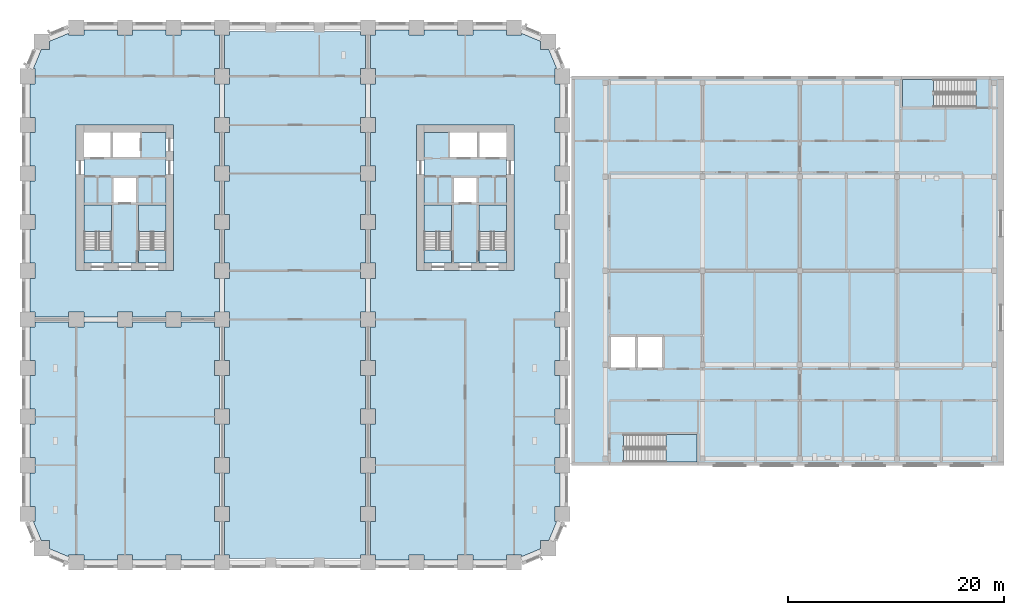
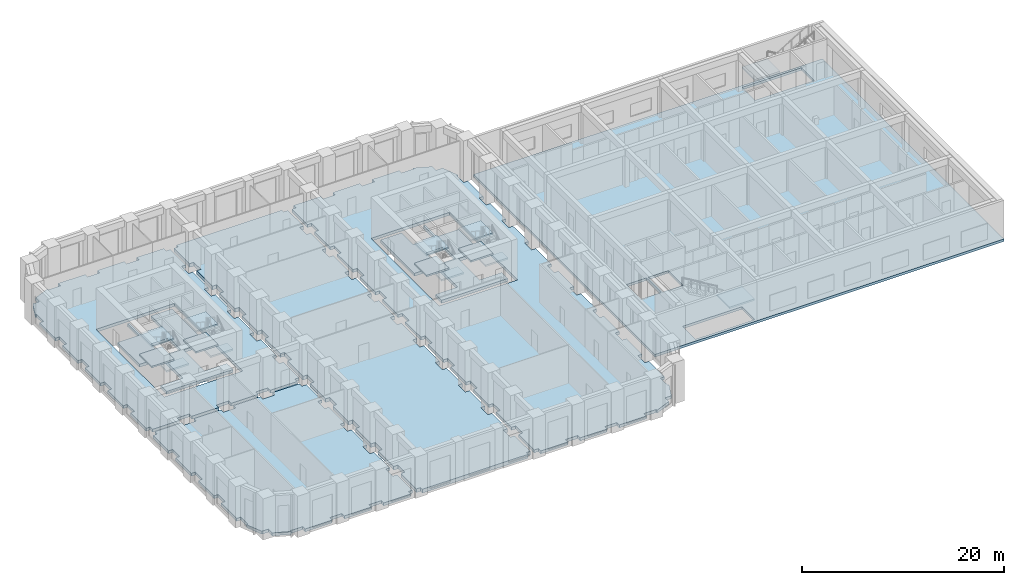
# One storey, part 2 of 19: 21 slabs, 6 elements without a shape of their own.
"""IFC4 building model written with IfcOpenShell, lengths in metres."""

from ifc_helpers import new_model, si_unit, direction, frame, origin, place, context, subcontext, project, spatial, polyline, outline, extrude, material, layer, layer_set, type_object, element, aggregate, save


model = new_model("IFC4")

# Units and contexts
model_context = context("Model", 3, precision=1e-05, world=origin(), true_north=direction((0.0, 1.0)))
body_context = subcontext(model_context, "Body", "Model", "MODEL_VIEW")
ifc_project = project(units=[si_unit("LENGTHUNIT", "METRE"), si_unit("AREAUNIT", "SQUARE_METRE"), si_unit("VOLUMEUNIT", "CUBIC_METRE"), si_unit("PLANEANGLEUNIT", "RADIAN"), si_unit("MASSUNIT", "GRAM", prefix="KILO")], contexts=[model_context])

# Site, building, storey
site_placement = place(None, origin())
site = spatial("IfcSite", under=ifc_project, at=site_placement, CompositionType="ELEMENT")
building_placement = place(site_placement, origin())
building = spatial("IfcBuilding", under=site, at=building_placement, Name="Girih Gate Residences", CompositionType="ELEMENT")
storey_placement = place(building_placement, frame((0.0, 0.0, 21.0)))
storey = spatial("IfcBuildingStorey", under=building, at=storey_placement, Name="L04", CompositionType="ELEMENT", Elevation=21.0)

# Slabs
ifc_material = material(Name="Concrete C40/50", Category="concrete")
ifc_layer_1 = layer(ifc_material, 0.35009765625)
ifc_layer_set_1 = layer_set([ifc_layer_1], Name="Core floor slab 350")
slab_type_1 = type_object("IfcSlabType", Name="Core floor slab 350", PredefinedType="FLOOR", material=ifc_layer_set_1)
slab_1_placement = place(storey_placement, frame((0.0, 0.0, -0.35009765625)))
element("IfcSlab", 1, at=slab_1_placement, inside=storey, type_object=slab_type_1, Name="L04 W core floor", PredefinedType="FLOOR", context=body_context, shape_type="SweptSolid", body=[
    extrude(outline(polyline([(12.800048828125, 27.699951171875), (5.199951171875, 27.699951171875), (5.199951171875, 28.900634765625), (7.75, 28.900634765625), (7.75, 33.10009765625), (5.199951171875, 33.10009765625), (5.199951171875, 37.5), (7.699951171875, 37.5), (7.699951171875, 39.800048828125), (7.89990234375, 39.800048828125), (7.89990234375, 37.5), (10.39990234375, 37.5), (10.39990234375, 39.800048828125), (12.800048828125, 39.800048828125), (12.800048828125, 33.10009765625), (10.25, 33.10009765625), (10.25, 28.900634765625), (12.800048828125, 28.900634765625), (12.800048828125, 27.699951171875)]), holes=[polyline([(7.949951171875, 33.300048828125), (10.050048828125, 33.300048828125), (10.050048828125, 35.60009765625), (7.949951171875, 35.60009765625), (7.949951171875, 33.300048828125)])]), origin(), (0.0, 0.0, 1.0), 0.35009765625),
])
slab_2_placement = place(storey_placement, frame((0.0, 0.0, -0.35009765625)))
element("IfcSlab", 2, at=slab_2_placement, inside=storey, type_object=slab_type_1, Name="L04 E core floor", PredefinedType="FLOOR", context=body_context, shape_type="SweptSolid", body=[
    extrude(outline(polyline([(44.300048828125, 27.699951171875), (36.699951171875, 27.699951171875), (36.699951171875, 28.900634765625), (39.25, 28.900634765625), (39.25, 33.10009765625), (36.699951171875, 33.10009765625), (36.699951171875, 39.800048828125), (39.10009765625, 39.800048828125), (39.10009765625, 37.5), (41.60009765625, 37.5), (41.60009765625, 39.800048828125), (41.800048828125, 39.800048828125), (41.800048828125, 37.5), (44.300048828125, 37.5), (44.300048828125, 33.10009765625), (41.75, 33.10009765625), (41.75, 28.900634765625), (44.300048828125, 28.900634765625), (44.300048828125, 27.699951171875)]), holes=[polyline([(39.449951171875, 33.300048828125), (41.550048828125, 33.300048828125), (41.550048828125, 35.60009765625), (39.449951171875, 35.60009765625), (39.449951171875, 33.300048828125)])]), origin(), (0.0, 0.0, 1.0), 0.35009765625),
])
ifc_layer_2 = layer(ifc_material, 0.35009765625)
ifc_layer_set_2 = layer_set([ifc_layer_2], Name="Floor slab PT 350 Concrete C40/50")
slab_type_2 = type_object("IfcSlabType", Name="Floor slab PT 350 Concrete C40/50", PredefinedType="FLOOR", material=ifc_layer_set_2)
slab_3_placement = place(storey_placement, frame((0.0, 0.0, -0.35009765625)))
element("IfcSlab", 3, at=slab_3_placement, inside=storey, type_object=slab_type_2, Name="Floor slab L04 0", PredefinedType="FLOOR", context=body_context, shape_type="SweptSolid", body=[
    extrude(outline(polyline([(0.22509765625, 8.300048828125), (0.22509765625, 5.199951171875), (0.699951171875, 5.199951171875), (0.699951171875, 3.800048828125), (0.533447265625, 3.800048828125), (1.271728515625, 2.01806640625), (2.01806640625, 2.01806640625), (2.01806640625, 1.271728515625), (3.800048828125, 0.533447265625), (3.800048828125, 0.699951171875), (5.199951171875, 0.699951171875), (5.199951171875, 0.22509765625), (8.300048828125, 0.22509765625), (8.300048828125, 0.699951171875), (9.699951171875, 0.699951171875), (9.699951171875, 0.22509765625), (12.800048828125, 0.22509765625), (12.800048828125, 0.699951171875), (14.199951171875, 0.699951171875), (14.199951171875, 0.22509765625), (17.300048828125, 0.22509765625), (17.300048828125, 0.699951171875), (17.77490234375, 0.699951171875), (17.77490234375, 3.800048828125), (17.300048828125, 3.800048828125), (17.300048828125, 5.199951171875), (17.77490234375, 5.199951171875), (17.77490234375, 8.300048828125), (17.300048828125, 8.300048828125), (17.300048828125, 9.699951171875), (17.77490234375, 9.699951171875), (17.77490234375, 12.800048828125), (17.300048828125, 12.800048828125), (17.300048828125, 14.199951171875), (17.77490234375, 14.199951171875), (17.77490234375, 17.300048828125), (17.300048828125, 17.300048828125), (17.300048828125, 18.699951171875), (17.77490234375, 18.699951171875), (17.77490234375, 21.800048828125), (17.300048828125, 21.800048828125), (17.300048828125, 22.27490234375), (14.199951171875, 22.27490234375), (14.199951171875, 21.800048828125), (12.800048828125, 21.800048828125), (12.800048828125, 22.27490234375), (9.699951171875, 22.27490234375), (9.699951171875, 21.800048828125), (8.300048828125, 21.800048828125), (8.300048828125, 22.27490234375), (5.199951171875, 22.27490234375), (5.199951171875, 21.800048828125), (3.800048828125, 21.800048828125), (3.800048828125, 22.27490234375), (0.699951171875, 22.27490234375), (0.699951171875, 21.800048828125), (0.22509765625, 21.800048828125), (0.22509765625, 18.699951171875), (0.699951171875, 18.699951171875), (0.699951171875, 17.300048828125), (0.22509765625, 17.300048828125), (0.22509765625, 14.199951171875), (0.699951171875, 14.199951171875), (0.699951171875, 12.800048828125), (0.22509765625, 12.800048828125), (0.22509765625, 9.699951171875), (0.699951171875, 9.699951171875), (0.699951171875, 8.300048828125), (0.22509765625, 8.300048828125)])), origin(), (0.0, 0.0, 1.0), 0.35009765625),
])
slab_4_placement = place(storey_placement, frame((0.0, 0.0, -0.35009765625)))
element("IfcSlab", 4, at=slab_4_placement, inside=storey, type_object=slab_type_2, Name="Floor slab L04 1", PredefinedType="FLOOR", context=body_context, shape_type="SweptSolid", body=[
    extrude(outline(polyline([(35.300048828125, 49.27490234375), (32.199951171875, 49.27490234375), (32.199951171875, 48.800048828125), (31.72509765625, 48.800048828125), (31.72509765625, 45.699951171875), (32.199951171875, 45.699951171875), (32.199951171875, 44.300048828125), (31.72509765625, 44.300048828125), (31.72509765625, 41.199951171875), (32.199951171875, 41.199951171875), (32.199951171875, 39.800048828125), (31.72509765625, 39.800048828125), (31.72509765625, 36.699951171875), (32.199951171875, 36.699951171875), (32.199951171875, 35.300048828125), (31.72509765625, 35.300048828125), (31.72509765625, 32.199951171875), (32.199951171875, 32.199951171875), (32.199951171875, 30.800048828125), (31.72509765625, 30.800048828125), (31.72509765625, 27.699951171875), (32.199951171875, 27.699951171875), (32.199951171875, 26.300048828125), (31.72509765625, 26.300048828125), (31.72509765625, 23.199951171875), (32.199951171875, 23.199951171875), (32.199951171875, 21.800048828125), (31.72509765625, 21.800048828125), (31.72509765625, 18.699951171875), (32.199951171875, 18.699951171875), (32.199951171875, 17.300048828125), (31.72509765625, 17.300048828125), (31.72509765625, 14.199951171875), (32.199951171875, 14.199951171875), (32.199951171875, 12.800048828125), (31.72509765625, 12.800048828125), (31.72509765625, 9.699951171875), (32.199951171875, 9.699951171875), (32.199951171875, 8.300048828125), (31.72509765625, 8.300048828125), (31.72509765625, 5.199951171875), (32.199951171875, 5.199951171875), (32.199951171875, 3.800048828125), (31.72509765625, 3.800048828125), (31.72509765625, 0.699951171875), (32.199951171875, 0.699951171875), (32.199951171875, 0.22509765625), (35.300048828125, 0.22509765625), (35.300048828125, 0.699951171875), (36.699951171875, 0.699951171875), (36.699951171875, 0.22509765625), (39.800048828125, 0.22509765625), (39.800048828125, 0.699951171875), (41.199951171875, 0.699951171875), (41.199951171875, 0.22509765625), (44.300048828125, 0.22509765625), (44.300048828125, 0.699951171875), (45.699951171875, 0.699951171875), (45.699951171875, 0.533447265625), (47.48193359375, 1.271728515625), (47.48193359375, 2.01806640625), (48.228271484375, 2.01806640625), (48.966552734375, 3.800048828125), (48.800048828125, 3.800048828125), (48.800048828125, 5.199951171875), (49.27490234375, 5.199951171875), (49.27490234375, 8.300048828125), (48.800048828125, 8.300048828125), (48.800048828125, 9.699951171875), (49.27490234375, 9.699951171875), (49.27490234375, 12.800048828125), (48.800048828125, 12.800048828125), (48.800048828125, 14.199951171875), (49.27490234375, 14.199951171875), (49.27490234375, 17.300048828125), (48.800048828125, 17.300048828125), (48.800048828125, 18.699951171875), (49.27490234375, 18.699951171875), (49.27490234375, 21.800048828125), (48.800048828125, 21.800048828125), (48.800048828125, 23.199951171875), (49.27490234375, 23.199951171875), (49.27490234375, 26.300048828125), (48.800048828125, 26.300048828125), (48.800048828125, 27.699951171875), (49.27490234375, 27.699951171875), (49.27490234375, 30.800048828125), (48.800048828125, 30.800048828125), (48.800048828125, 32.199951171875), (49.27490234375, 32.199951171875), (49.27490234375, 35.300048828125), (48.800048828125, 35.300048828125), (48.800048828125, 36.699951171875), (49.27490234375, 36.699951171875), (49.27490234375, 39.800048828125), (48.800048828125, 39.800048828125), (48.800048828125, 41.199951171875), (49.27490234375, 41.199951171875), (49.27490234375, 44.300048828125), (48.800048828125, 44.300048828125), (48.800048828125, 45.699951171875), (48.966552734375, 45.699951171875), (48.228271484375, 47.48193359375), (47.48193359375, 47.48193359375), (47.48193359375, 48.228271484375), (45.699951171875, 48.966552734375), (45.699951171875, 48.800048828125), (44.300048828125, 48.800048828125), (44.300048828125, 49.27490234375), (41.199951171875, 49.27490234375), (41.199951171875, 48.800048828125), (39.800048828125, 48.800048828125), (39.800048828125, 49.27490234375), (36.699951171875, 49.27490234375), (36.699951171875, 48.800048828125), (35.300048828125, 48.800048828125), (35.300048828125, 49.27490234375)]), holes=[polyline([(45.0, 40.5), (45.0, 27.0), (36.0, 27.0), (36.0, 40.5), (45.0, 40.5)])]), origin(), (0.0, 0.0, 1.0), 0.35009765625),
])
slab_5_placement = place(storey_placement, frame((0.0, 0.0, -0.35009765625)))
element("IfcSlab", 5, at=slab_5_placement, inside=storey, type_object=slab_type_2, Name="Floor slab L04 3", PredefinedType="FLOOR", context=body_context, shape_type="SweptSolid", body=[
    extrude(outline(polyline([(0.22509765625, 26.300048828125), (0.22509765625, 23.199951171875), (0.699951171875, 23.199951171875), (0.699951171875, 22.72509765625), (3.800048828125, 22.72509765625), (3.800048828125, 23.199951171875), (5.199951171875, 23.199951171875), (5.199951171875, 22.72509765625), (8.300048828125, 22.72509765625), (8.300048828125, 23.199951171875), (9.699951171875, 23.199951171875), (9.699951171875, 22.72509765625), (12.800048828125, 22.72509765625), (12.800048828125, 23.199951171875), (14.199951171875, 23.199951171875), (14.199951171875, 22.72509765625), (17.300048828125, 22.72509765625), (17.300048828125, 23.199951171875), (17.77490234375, 23.199951171875), (17.77490234375, 26.300048828125), (17.300048828125, 26.300048828125), (17.300048828125, 27.699951171875), (17.77490234375, 27.699951171875), (17.77490234375, 30.800048828125), (17.300048828125, 30.800048828125), (17.300048828125, 32.199951171875), (17.77490234375, 32.199951171875), (17.77490234375, 35.300048828125), (17.300048828125, 35.300048828125), (17.300048828125, 36.699951171875), (17.77490234375, 36.699951171875), (17.77490234375, 39.800048828125), (17.300048828125, 39.800048828125), (17.300048828125, 41.199951171875), (17.77490234375, 41.199951171875), (17.77490234375, 44.300048828125), (17.300048828125, 44.300048828125), (17.300048828125, 45.699951171875), (17.77490234375, 45.699951171875), (17.77490234375, 48.800048828125), (17.300048828125, 48.800048828125), (17.300048828125, 49.27490234375), (14.199951171875, 49.27490234375), (14.199951171875, 48.800048828125), (12.800048828125, 48.800048828125), (12.800048828125, 49.27490234375), (9.699951171875, 49.27490234375), (9.699951171875, 48.800048828125), (8.300048828125, 48.800048828125), (8.300048828125, 49.27490234375), (5.199951171875, 49.27490234375), (5.199951171875, 48.800048828125), (3.800048828125, 48.800048828125), (3.800048828125, 48.966552734375), (2.01806640625, 48.228271484375), (2.01806640625, 47.48193359375), (1.271728515625, 47.48193359375), (0.533447265625, 45.699951171875), (0.699951171875, 45.699951171875), (0.699951171875, 44.300048828125), (0.22509765625, 44.300048828125), (0.22509765625, 41.199951171875), (0.699951171875, 41.199951171875), (0.699951171875, 39.800048828125), (0.22509765625, 39.800048828125), (0.22509765625, 36.699951171875), (0.699951171875, 36.699951171875), (0.699951171875, 35.300048828125), (0.22509765625, 35.300048828125), (0.22509765625, 32.199951171875), (0.699951171875, 32.199951171875), (0.699951171875, 30.800048828125), (0.22509765625, 30.800048828125), (0.22509765625, 27.699951171875), (0.699951171875, 27.699951171875), (0.699951171875, 26.300048828125), (0.22509765625, 26.300048828125)]), holes=[polyline([(13.5, 40.5), (13.5, 27.0), (4.5, 27.0), (4.5, 40.5), (13.5, 40.5)])]), origin(), (0.0, 0.0, 1.0), 0.35009765625),
])
ifc_layer_3 = layer(ifc_material, 0.449951171875)
ifc_layer_set_3 = layer_set([ifc_layer_3], Name="Floor slab PT 450 Concrete C40/50")
slab_type_3 = type_object("IfcSlabType", Name="Floor slab PT 450 Concrete C40/50", PredefinedType="FLOOR", material=ifc_layer_set_3)
slab_6_placement = place(storey_placement, frame((0.0, 0.0, -0.449951171875)))
element("IfcSlab", 6, at=slab_6_placement, inside=storey, type_object=slab_type_3, Name="Floor slab L04 2", PredefinedType="FLOOR", context=body_context, shape_type="SweptSolid", body=[
    extrude(outline(polyline([(18.699951171875, 49.14990234375), (18.699951171875, 48.800048828125), (18.22509765625, 48.800048828125), (18.22509765625, 45.699951171875), (18.699951171875, 45.699951171875), (18.699951171875, 44.300048828125), (18.22509765625, 44.300048828125), (18.22509765625, 41.199951171875), (18.699951171875, 41.199951171875), (18.699951171875, 39.800048828125), (18.22509765625, 39.800048828125), (18.22509765625, 36.699951171875), (18.699951171875, 36.699951171875), (18.699951171875, 35.300048828125), (18.22509765625, 35.300048828125), (18.22509765625, 32.199951171875), (18.699951171875, 32.199951171875), (18.699951171875, 30.800048828125), (18.22509765625, 30.800048828125), (18.22509765625, 27.699951171875), (18.699951171875, 27.699951171875), (18.699951171875, 26.300048828125), (18.22509765625, 26.300048828125), (18.22509765625, 23.199951171875), (18.699951171875, 23.199951171875), (18.699951171875, 21.800048828125), (18.22509765625, 21.800048828125), (18.22509765625, 18.699951171875), (18.699951171875, 18.699951171875), (18.699951171875, 17.300048828125), (18.22509765625, 17.300048828125), (18.22509765625, 14.199951171875), (18.699951171875, 14.199951171875), (18.699951171875, 12.800048828125), (18.22509765625, 12.800048828125), (18.22509765625, 9.699951171875), (18.699951171875, 9.699951171875), (18.699951171875, 8.300048828125), (18.22509765625, 8.300048828125), (18.22509765625, 5.199951171875), (18.699951171875, 5.199951171875), (18.699951171875, 3.800048828125), (18.22509765625, 3.800048828125), (18.22509765625, 0.699951171875), (18.699951171875, 0.699951171875), (18.699951171875, 0.35009765625), (30.800048828125, 0.35009765625), (30.800048828125, 0.699951171875), (31.27490234375, 0.699951171875), (31.27490234375, 3.800048828125), (30.800048828125, 3.800048828125), (30.800048828125, 5.199951171875), (31.27490234375, 5.199951171875), (31.27490234375, 8.300048828125), (30.800048828125, 8.300048828125), (30.800048828125, 9.699951171875), (31.27490234375, 9.699951171875), (31.27490234375, 12.800048828125), (30.800048828125, 12.800048828125), (30.800048828125, 14.199951171875), (31.27490234375, 14.199951171875), (31.27490234375, 17.300048828125), (30.800048828125, 17.300048828125), (30.800048828125, 18.699951171875), (31.27490234375, 18.699951171875), (31.27490234375, 21.800048828125), (30.800048828125, 21.800048828125), (30.800048828125, 23.199951171875), (31.27490234375, 23.199951171875), (31.27490234375, 26.300048828125), (30.800048828125, 26.300048828125), (30.800048828125, 27.699951171875), (31.27490234375, 27.699951171875), (31.27490234375, 30.800048828125), (30.800048828125, 30.800048828125), (30.800048828125, 32.199951171875), (31.27490234375, 32.199951171875), (31.27490234375, 35.300048828125), (30.800048828125, 35.300048828125), (30.800048828125, 36.699951171875), (31.27490234375, 36.699951171875), (31.27490234375, 39.800048828125), (30.800048828125, 39.800048828125), (30.800048828125, 41.199951171875), (31.27490234375, 41.199951171875), (31.27490234375, 44.300048828125), (30.800048828125, 44.300048828125), (30.800048828125, 45.699951171875), (31.27490234375, 45.699951171875), (31.27490234375, 48.800048828125), (30.800048828125, 48.800048828125), (30.800048828125, 49.14990234375), (18.699951171875, 49.14990234375)])), origin(), (0.0, 0.0, 1.0), 0.449951171875),
])
ifc_layer_4 = layer(ifc_material, 0.300048828125)
ifc_layer_set_4 = layer_set([ifc_layer_4], Name="HC Floor slab 300 C40/50")
slab_type_4 = type_object("IfcSlabType", Name="HC Floor slab 300 C40/50", PredefinedType="FLOOR", material=ifc_layer_set_4)
slab_7_placement = place(storey_placement, frame((0.0, 0.0, -0.300048828125)))
element("IfcSlab", 7, at=slab_7_placement, inside=storey, type_object=slab_type_4, Name="L04 floor slab", PredefinedType="FLOOR", context=body_context, shape_type="SweptSolid", body=[
    extrude(outline(polyline([(50.35009765625, 9.0), (90.35009765625, 9.0), (90.35009765625, 45.0), (50.35009765625, 45.0), (50.35009765625, 9.0)]), holes=[polyline([(55.150390625, 9.300048828125), (61.949951171875, 9.300048828125), (61.949951171875, 11.85009765625), (55.150390625, 11.85009765625), (55.150390625, 9.300048828125)]), polyline([(87.74951171875, 44.699951171875), (80.949951171875, 44.699951171875), (80.949951171875, 42.14990234375), (87.74951171875, 42.14990234375), (87.74951171875, 44.699951171875)]), polyline([(53.949951171875, 18.0), (56.25, 18.0), (56.25, 20.89990234375), (53.949951171875, 20.89990234375), (53.949951171875, 18.0)]), polyline([(56.449951171875, 18.0), (58.75, 18.0), (58.75, 20.89990234375), (56.449951171875, 20.89990234375), (56.449951171875, 18.0)])]), origin(), (0.0, 0.0, 1.0), 0.300048828125),
])

# Stair, slab
stair_type_1 = type_object("IfcStairType", Name="HC Stair", PredefinedType="HALF_TURN_STAIR", material=ifc_material)
stair_1_placement = place(storey_placement, origin())
stair_1 = element("IfcStair", 8, at=stair_1_placement, inside=storey, type_object=stair_type_1, Name="L04 stair A", PredefinedType="HALF_TURN_STAIR")
ifc_layer_5 = layer(ifc_material, 0.199951171875)
ifc_layer_set_5 = layer_set([ifc_layer_5], Name="HC Stair landing 200")
slab_type_5 = type_object("IfcSlabType", Name="HC Stair landing 200", PredefinedType="LANDING", material=ifc_layer_set_5)
slab_8_placement = place(storey_placement, frame((0.0, 0.0, 2.300048828125)))
slab_8 = element("IfcSlab", 9, at=slab_8_placement, type_object=slab_type_5, Name="HC-STA landing 1", PredefinedType="LANDING", context=body_context, shape_type="SweptSolid", body=[
    extrude(outline(polyline([(59.070068359375, 9.300048828125), (61.949951171875, 9.300048828125), (61.949951171875, 11.85009765625), (59.070068359375, 11.85009765625), (59.070068359375, 9.300048828125)])), origin(), (0.0, 0.0, 1.0), 0.199951171875),
])
aggregate(stair_1, [slab_8])

stair_2_placement = place(storey_placement, origin())
stair_2 = element("IfcStair", 10, at=stair_2_placement, inside=storey, type_object=stair_type_1, Name="L04 stair B", PredefinedType="HALF_TURN_STAIR")
slab_9_placement = place(storey_placement, frame((0.0, 0.0, 2.300048828125)))
slab_9 = element("IfcSlab", 11, at=slab_9_placement, type_object=slab_type_5, Name="HC-STB landing 1", PredefinedType="LANDING", context=body_context, shape_type="SweptSolid", body=[
    extrude(outline(polyline([(83.830078125, 44.699951171875), (80.949951171875, 44.699951171875), (80.949951171875, 42.14990234375), (83.830078125, 42.14990234375), (83.830078125, 44.699951171875)])), origin(), (0.0, 0.0, 1.0), 0.199951171875),
])
aggregate(stair_2, [slab_9])

# Stair, slabs
stair_type_2 = type_object("IfcStairType", Name="Exit stair", PredefinedType="HALF_TURN_STAIR", material=ifc_material)
stair_3_placement = place(storey_placement, origin())
stair_3 = element("IfcStair", 12, at=stair_3_placement, inside=storey, type_object=stair_type_2, Name="L04 Exit Stair ST-W1", PredefinedType="HALF_TURN_STAIR")
ifc_layer_6 = layer(ifc_material, 0.199951171875)
ifc_layer_set_6 = layer_set([ifc_layer_6], Name="Stair landing 200")
slab_type_6 = type_object("IfcSlabType", Name="Stair landing 200", PredefinedType="LANDING", material=ifc_layer_set_6)
slab_10_placement = place(storey_placement, frame((0.0, 0.0, 1.050048828125)))
slab_10 = element("IfcSlab", 13, at=slab_10_placement, type_object=slab_type_6, Name="ST-W1 landing 1", PredefinedType="LANDING", context=body_context, shape_type="SweptSolid", body=[
    extrude(outline(polyline([(7.75, 30.64990234375), (7.75, 33.10009765625), (5.199951171875, 33.10009765625), (5.199951171875, 30.64990234375), (7.75, 30.64990234375)])), origin(), (0.0, 0.0, 1.0), 0.199951171875),
])
slab_11_placement = place(storey_placement, frame((0.0, 0.0, 2.300048828125)))
slab_11 = element("IfcSlab", 14, at=slab_11_placement, type_object=slab_type_6, Name="ST-W1 landing 2", PredefinedType="LANDING", context=body_context, shape_type="SweptSolid", body=[
    extrude(outline(polyline([(7.75, 27.699951171875), (7.75, 28.89990234375), (5.199951171875, 28.89990234375), (5.199951171875, 27.699951171875), (7.75, 27.699951171875)])), origin(), (0.0, 0.0, 1.0), 0.199951171875),
])
slab_12_placement = place(storey_placement, frame((0.0, 0.0, 3.550048828125)))
slab_12 = element("IfcSlab", 15, at=slab_12_placement, type_object=slab_type_6, Name="ST-W1 landing 3", PredefinedType="LANDING", context=body_context, shape_type="SweptSolid", body=[
    extrude(outline(polyline([(7.75, 30.64990234375), (7.75, 33.10009765625), (5.199951171875, 33.10009765625), (5.199951171875, 30.64990234375), (7.75, 30.64990234375)])), origin(), (0.0, 0.0, 1.0), 0.199951171875),
])
aggregate(stair_3, [slab_10, slab_11, slab_12])

stair_4_placement = place(storey_placement, origin())
stair_4 = element("IfcStair", 16, at=stair_4_placement, inside=storey, type_object=stair_type_2, Name="L04 Exit Stair ST-W2", PredefinedType="HALF_TURN_STAIR")
slab_13_placement = place(storey_placement, frame((0.0, 0.0, 1.050048828125)))
slab_13 = element("IfcSlab", 17, at=slab_13_placement, type_object=slab_type_6, Name="ST-W2 landing 1", PredefinedType="LANDING", context=body_context, shape_type="SweptSolid", body=[
    extrude(outline(polyline([(12.800048828125, 30.64990234375), (12.800048828125, 33.10009765625), (10.25, 33.10009765625), (10.25, 30.64990234375), (12.800048828125, 30.64990234375)])), origin(), (0.0, 0.0, 1.0), 0.199951171875),
])
slab_14_placement = place(storey_placement, frame((0.0, 0.0, 2.300048828125)))
slab_14 = element("IfcSlab", 18, at=slab_14_placement, type_object=slab_type_6, Name="ST-W2 landing 2", PredefinedType="LANDING", context=body_context, shape_type="SweptSolid", body=[
    extrude(outline(polyline([(12.800048828125, 27.699951171875), (12.800048828125, 28.89990234375), (10.25, 28.89990234375), (10.25, 27.699951171875), (12.800048828125, 27.699951171875)])), origin(), (0.0, 0.0, 1.0), 0.199951171875),
])
slab_15_placement = place(storey_placement, frame((0.0, 0.0, 3.550048828125)))
slab_15 = element("IfcSlab", 19, at=slab_15_placement, type_object=slab_type_6, Name="ST-W2 landing 3", PredefinedType="LANDING", context=body_context, shape_type="SweptSolid", body=[
    extrude(outline(polyline([(12.800048828125, 30.64990234375), (12.800048828125, 33.10009765625), (10.25, 33.10009765625), (10.25, 30.64990234375), (12.800048828125, 30.64990234375)])), origin(), (0.0, 0.0, 1.0), 0.199951171875),
])
aggregate(stair_4, [slab_13, slab_14, slab_15])

stair_5_placement = place(storey_placement, origin())
stair_5 = element("IfcStair", 20, at=stair_5_placement, inside=storey, type_object=stair_type_2, Name="L04 Exit Stair ST-E1", PredefinedType="HALF_TURN_STAIR")
slab_16_placement = place(storey_placement, frame((0.0, 0.0, 1.050048828125)))
slab_16 = element("IfcSlab", 21, at=slab_16_placement, type_object=slab_type_6, Name="ST-E1 landing 1", PredefinedType="LANDING", context=body_context, shape_type="SweptSolid", body=[
    extrude(outline(polyline([(44.300048828125, 30.64990234375), (44.300048828125, 33.10009765625), (41.75, 33.10009765625), (41.75, 30.64990234375), (44.300048828125, 30.64990234375)])), origin(), (0.0, 0.0, 1.0), 0.199951171875),
])
slab_17_placement = place(storey_placement, frame((0.0, 0.0, 2.300048828125)))
slab_17 = element("IfcSlab", 22, at=slab_17_placement, type_object=slab_type_6, Name="ST-E1 landing 2", PredefinedType="LANDING", context=body_context, shape_type="SweptSolid", body=[
    extrude(outline(polyline([(44.300048828125, 27.699951171875), (44.300048828125, 28.89990234375), (41.75, 28.89990234375), (41.75, 27.699951171875), (44.300048828125, 27.699951171875)])), origin(), (0.0, 0.0, 1.0), 0.199951171875),
])
slab_18_placement = place(storey_placement, frame((0.0, 0.0, 3.550048828125)))
slab_18 = element("IfcSlab", 23, at=slab_18_placement, type_object=slab_type_6, Name="ST-E1 landing 3", PredefinedType="LANDING", context=body_context, shape_type="SweptSolid", body=[
    extrude(outline(polyline([(44.300048828125, 30.64990234375), (44.300048828125, 33.10009765625), (41.75, 33.10009765625), (41.75, 30.64990234375), (44.300048828125, 30.64990234375)])), origin(), (0.0, 0.0, 1.0), 0.199951171875),
])
aggregate(stair_5, [slab_16, slab_17, slab_18])

stair_6_placement = place(storey_placement, origin())
stair_6 = element("IfcStair", 24, at=stair_6_placement, inside=storey, type_object=stair_type_2, Name="L04 Exit Stair ST-E2", PredefinedType="HALF_TURN_STAIR")
slab_19_placement = place(storey_placement, frame((0.0, 0.0, 1.050048828125)))
slab_19 = element("IfcSlab", 25, at=slab_19_placement, type_object=slab_type_6, Name="ST-E2 landing 1", PredefinedType="LANDING", context=body_context, shape_type="SweptSolid", body=[
    extrude(outline(polyline([(39.25, 30.64990234375), (39.25, 33.10009765625), (36.699951171875, 33.10009765625), (36.699951171875, 30.64990234375), (39.25, 30.64990234375)])), origin(), (0.0, 0.0, 1.0), 0.199951171875),
])
slab_20_placement = place(storey_placement, frame((0.0, 0.0, 2.300048828125)))
slab_20 = element("IfcSlab", 26, at=slab_20_placement, type_object=slab_type_6, Name="ST-E2 landing 2", PredefinedType="LANDING", context=body_context, shape_type="SweptSolid", body=[
    extrude(outline(polyline([(39.25, 27.699951171875), (39.25, 28.89990234375), (36.699951171875, 28.89990234375), (36.699951171875, 27.699951171875), (39.25, 27.699951171875)])), origin(), (0.0, 0.0, 1.0), 0.199951171875),
])
slab_21_placement = place(storey_placement, frame((0.0, 0.0, 3.550048828125)))
slab_21 = element("IfcSlab", 27, at=slab_21_placement, type_object=slab_type_6, Name="ST-E2 landing 3", PredefinedType="LANDING", context=body_context, shape_type="SweptSolid", body=[
    extrude(outline(polyline([(39.25, 30.64990234375), (39.25, 33.10009765625), (36.699951171875, 33.10009765625), (36.699951171875, 30.64990234375), (39.25, 30.64990234375)])), origin(), (0.0, 0.0, 1.0), 0.199951171875),
])
aggregate(stair_6, [slab_19, slab_20, slab_21])

save(model, "model.ifc")
